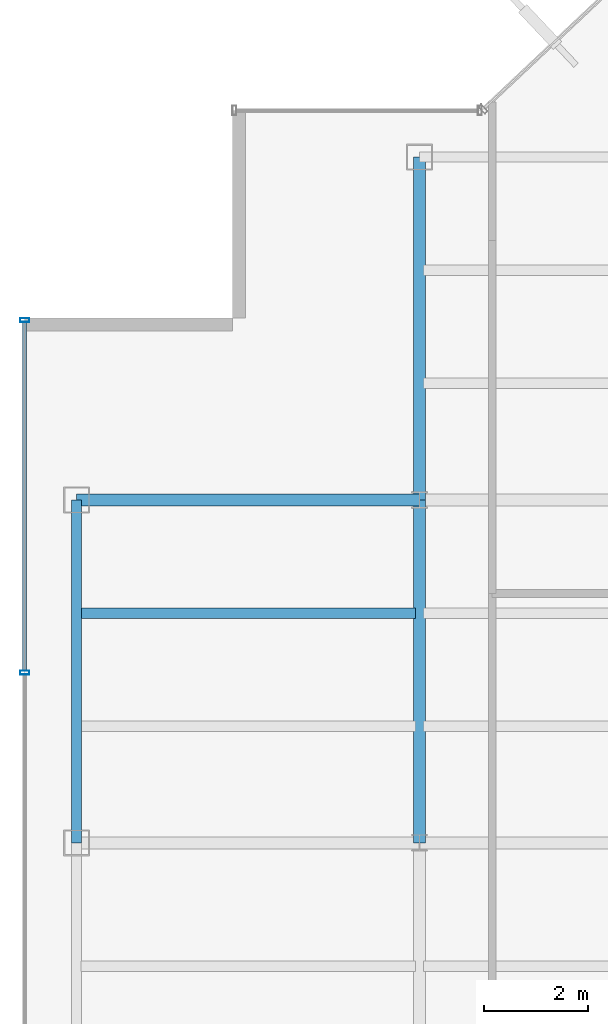
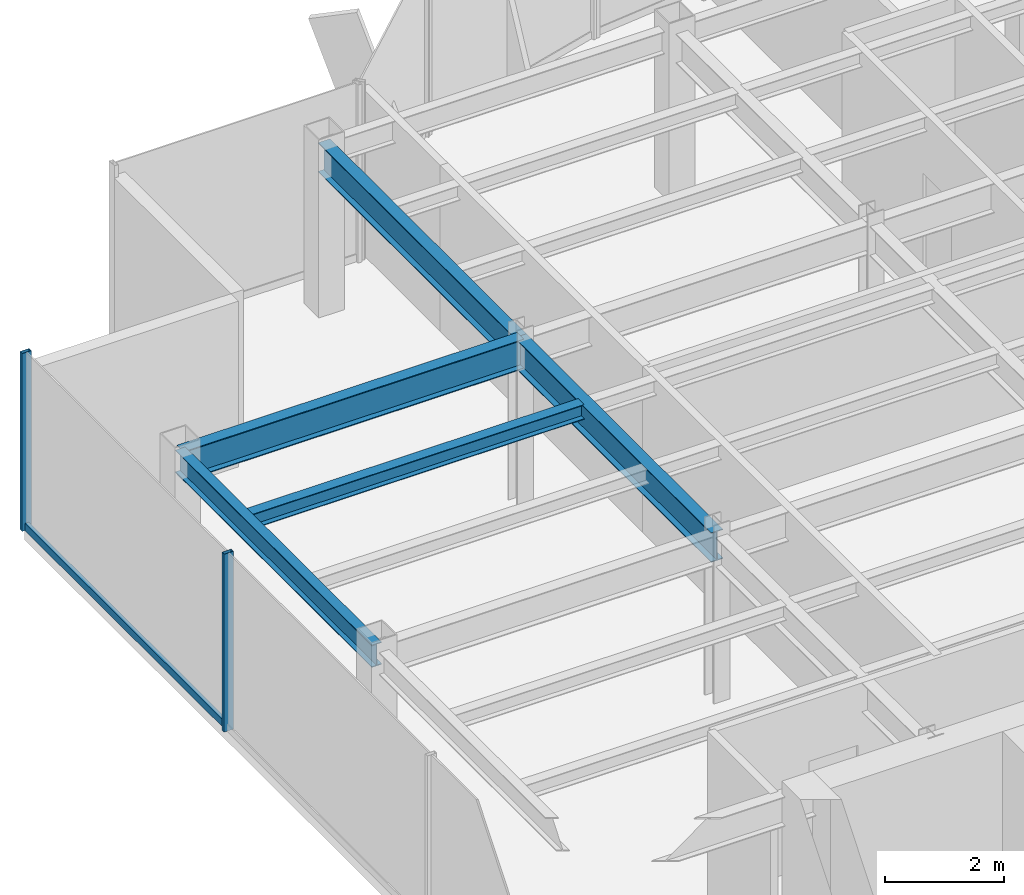
# One storey, part 7 of 22: 5 beams, 3 members, 1 element without a shape of its own.
"""IFC4 building model written with IfcOpenShell, lengths in metres."""

import ifcopenshell
import ifcopenshell.guid

model = None  # the IFC model being written
_history = None  # IfcOwnerHistory: only IFC2X3 demands one
_inside = {}  # id of a spatial element -> (the spatial element, [elements in it])
_under = {}  # id of a project, library or spatial element -> (it, [spatial elements below it])
_declared = {}  # id of a project -> (the project, [libraries it declares])
_typed = {}  # id of a type object -> (the type object, [elements of that type])
_made_of = {}  # id of a material, layer set ... -> (it, [elements and type objects made of it])


def new_model(schema):
    """Start an empty IFC model of exactly this schema.

    Asked for "IFC4X3", IfcOpenShell would pick the latest addendum, in which some entities
    have other attributes; the version numbers below select the first issue.
    IFC2X3 requires an IfcOwnerHistory on every rooted entity: one is made here for all.
    """
    global model, _history
    if schema == "IFC4X3":
        model = ifcopenshell.file(schema_version=(4, 3, 0, 0))
    else:
        model = ifcopenshell.file(schema=schema)
    _inside.clear()
    _under.clear()
    _declared.clear()
    _typed.clear()
    _made_of.clear()
    _history = None
    if model.schema == "IFC2X3":
        org = make("IfcOrganization", Name="unknown")
        user = make(
            "IfcPersonAndOrganization",
            ThePerson=make("IfcPerson", FamilyName="unknown"),
            TheOrganization=org,
        )
        app = make(
            "IfcApplication",
            ApplicationDeveloper=org,
            Version="unknown",
            ApplicationFullName="unknown",
            ApplicationIdentifier="unknown",
        )
        _history = make(
            "IfcOwnerHistory",
            OwningUser=user,
            OwningApplication=app,
            ChangeAction="ADDED",
            CreationDate=0,
        )
    return model


def make(cls, **values):
    """One entity of the class cls with the attributes given. An attribute that is None is left unset."""
    return model.create_entity(
        cls, **{name: value for name, value in values.items() if value is not None}
    )


def rooted(cls, **values):
    """An entity with a GlobalId (a new one), such as an element, a storey or a relation."""
    return make(cls, GlobalId=ifcopenshell.guid.new(), OwnerHistory=_history, **values)


def si_unit(unit_type, name, prefix=None):
    """IfcSIUnit, for example si_unit("LENGTHUNIT", "METRE", prefix="MILLI")."""
    return make("IfcSIUnit", UnitType=unit_type, Prefix=prefix, Name=name)


def derived_unit(unit_type, elements):
    """IfcDerivedUnit: a product of units, each with its exponent."""
    return make(
        "IfcDerivedUnit",
        Elements=[
            make("IfcDerivedUnitElement", Unit=unit, Exponent=power)
            for unit, power in elements
        ],
        UnitType=unit_type,
    )


def assignment(units):
    """IfcUnitAssignment: the units of a project."""
    return None if units is None else make("IfcUnitAssignment", Units=units)


def point(xyz):
    """IfcCartesianPoint."""
    return None if xyz is None else make("IfcCartesianPoint", Coordinates=xyz)


def direction(xyz):
    """IfcDirection."""
    return None if xyz is None else make("IfcDirection", DirectionRatios=xyz)


def frame(location, z_axis=None, x_axis=None):
    """IfcAxis2Placement3D, a coordinate frame: its origin and axes. An axis left out is left unset."""
    return make(
        "IfcAxis2Placement3D",
        Location=point(location),
        Axis=direction(z_axis),
        RefDirection=direction(x_axis),
    )


def frame_2d(location, x_axis=None):
    """IfcAxis2Placement2D, a coordinate frame in the plane: its origin and x axis."""
    return make(
        "IfcAxis2Placement2D", Location=point(location), RefDirection=direction(x_axis)
    )


def origin():
    """The frame at (0, 0, 0) with its axes left unset."""
    return frame((0.0, 0.0, 0.0))


def origin_2d():
    """The frame at (0, 0) in the plane with its x axis left unset."""
    return frame_2d((0.0, 0.0))


def place(relative_to, where):
    """IfcLocalPlacement: puts the frame where relative to a parent placement (None: the world)."""
    return make(
        "IfcLocalPlacement", PlacementRelTo=relative_to, RelativePlacement=where
    )


def context(
    kind, dimensions, precision=None, world=None, true_north=None, identifier=None
):
    """IfcGeometricRepresentationContext, for example the 3D "Model" context."""
    return make(
        "IfcGeometricRepresentationContext",
        ContextIdentifier=identifier,
        ContextType=kind,
        CoordinateSpaceDimension=dimensions,
        Precision=precision,
        WorldCoordinateSystem=world,
        TrueNorth=true_north,
    )


def subcontext(parent, identifier, kind, view, scale=None):
    """IfcGeometricRepresentationSubContext, for example "Body" below "Model"."""
    return make(
        "IfcGeometricRepresentationSubContext",
        ContextIdentifier=identifier,
        ContextType=kind,
        ParentContext=parent,
        TargetScale=scale,
        TargetView=view,
    )


def project(units=None, contexts=None):
    """IfcProject with its units and contexts."""
    return rooted(
        "IfcProject",
        Name="project",
        RepresentationContexts=contexts,
        UnitsInContext=assignment(units),
    )


def spatial(cls, under=None, at=None, **own):
    """A site, building, storey or space (cls), placed at a placement, below another one or the project."""
    s = rooted(cls, ObjectPlacement=at, **own)
    if under is not None:
        _under.setdefault(under.id(), (under, []))[1].append(s)
    return s


def profile(cls, at=None, kind="AREA", **sizes):
    """A parametric profile (cls). Its sizes go by their IFC names, for example OverallWidth=200.0."""
    return make(cls, ProfileType=kind, Position=at, **sizes)


def hollow_rectangle(**sizes):
    """IfcRectangleHollowProfileDef."""
    return profile("IfcRectangleHollowProfileDef", **sizes)


def i_section(**sizes):
    """IfcIShapeProfileDef."""
    return profile("IfcIShapeProfileDef", **sizes)


def extrude(swept, where, along, depth):
    """IfcExtrudedAreaSolid: the profile swept, set in the frame where, extruded along a direction by depth."""
    return make(
        "IfcExtrudedAreaSolid",
        SweptArea=swept,
        Position=where,
        ExtrudedDirection=direction(along),
        Depth=depth,
    )


def shape(context_of_items, identifier, shape_type, items):
    """IfcShapeRepresentation: the items that make up one representation, for example the "Body"."""
    return make(
        "IfcShapeRepresentation",
        ContextOfItems=context_of_items,
        RepresentationIdentifier=identifier,
        RepresentationType=shape_type,
        Items=items,
    )


def source(mapping_origin, context_of_items, identifier, shape_type, items):
    """IfcRepresentationMap: a shape defined once, which mapped items show again and again."""
    return make(
        "IfcRepresentationMap",
        MappingOrigin=mapping_origin,
        MappedRepresentation=shape(context_of_items, identifier, shape_type, items),
    )


def transform(
    local_origin,
    x_axis=None,
    y_axis=None,
    z_axis=None,
    scale=None,
    scale2=None,
    scale3=None,
    uniform=True,
):
    """IfcCartesianTransformationOperator3D, or its non-uniform kind. x_axis, y_axis, z_axis: its Axis1, 2, 3."""
    if uniform:
        return make(
            "IfcCartesianTransformationOperator3D",
            Axis1=direction(x_axis),
            Axis2=direction(y_axis),
            LocalOrigin=point(local_origin),
            Scale=scale,
            Axis3=direction(z_axis),
        )
    return make(
        "IfcCartesianTransformationOperator3DnonUniform",
        Axis1=direction(x_axis),
        Axis2=direction(y_axis),
        LocalOrigin=point(local_origin),
        Scale=scale,
        Axis3=direction(z_axis),
        Scale2=scale2,
        Scale3=scale3,
    )


def mapped(mapping_source, mapping_target):
    """IfcMappedItem: shows the shape of a source again, moved by a transform."""
    return make(
        "IfcMappedItem", MappingSource=mapping_source, MappingTarget=mapping_target
    )


def material(Name=None, Category=None):
    """IfcMaterial."""
    return make("IfcMaterial", Name=Name, Category=Category)


def material_profile(
    of_material, cross_section, Name=None, Category=None, Priority=None
):
    """IfcMaterialProfile: a cross section and its material."""
    return make(
        "IfcMaterialProfile",
        Name=Name,
        Material=of_material,
        Profile=cross_section,
        Priority=Priority,
        Category=Category,
    )


def profile_set(profiles, Name=None, composite=None):
    """IfcMaterialProfileSet."""
    return make(
        "IfcMaterialProfileSet",
        Name=Name,
        MaterialProfiles=profiles,
        CompositeProfile=composite,
    )


def made_of(thing, what):
    """Note that an element or type object is made of a material, layer set ...; save() writes the relation."""
    if what is not None:
        _made_of.setdefault(what.id(), (what, []))[1].append(thing)
    return thing


def type_object(cls, material=None, **own):
    """A type object (cls), such as IfcWallType, which elements share."""
    return made_of(rooted(cls, **own), material)


def element(
    cls,
    number,
    at=None,
    inside=None,
    cuts=None,
    type_object=None,
    material=None,
    context=None,
    identifier="Body",
    shape_type=None,
    held_by="IfcProductDefinitionShape",
    body=None,
    shapes=None,
    **own,
):
    """One element of the class cls, such as IfcWall. Its Tag is "e" and its number.

    at: its placement. inside: the storey or other place that contains it. cuts: it is an
    opening in that element (IfcRelVoidsElement). A single representation is given by context,
    identifier, shape_type and body (its items); several are given by shapes. held_by: the class
    of the entity that holds the representations. save() writes the other relations.
    """
    e = rooted(cls, Tag="e%d" % number, ObjectPlacement=at, **own)
    if body is not None:
        shapes = [shape(context, identifier, shape_type, body)]
    if shapes is not None:
        e.Representation = make(held_by, Representations=shapes)
    if inside is not None:
        _inside.setdefault(inside.id(), (inside, []))[1].append(e)
    if cuts is not None:
        rooted(
            "IfcRelVoidsElement", RelatingBuildingElement=cuts, RelatedOpeningElement=e
        )
    if type_object is not None:
        _typed.setdefault(type_object.id(), (type_object, []))[1].append(e)
    return made_of(e, material)


def aggregate(whole, parts):
    """IfcRelAggregates: a whole, such as a stair, and the parts it consists of."""
    return rooted("IfcRelAggregates", RelatingObject=whole, RelatedObjects=parts)


def save(model, path):
    """Write the relations noted so far, then the file.

    IfcRelAggregates (storeys below a building ...), IfcRelContainedInSpatialStructure (elements
    in a storey), IfcRelDefinesByType, IfcRelAssociatesMaterial and IfcRelDeclares: one each for
    every whole, place, type object, material and project.
    """
    for whole, parts in _under.values():
        aggregate(whole, parts)
    for where, things in _inside.values():
        rooted(
            "IfcRelContainedInSpatialStructure",
            RelatedElements=things,
            RelatingStructure=where,
        )
    for kind, things in _typed.values():
        rooted("IfcRelDefinesByType", RelatedObjects=things, RelatingType=kind)
    for what, things in _made_of.values():
        rooted("IfcRelAssociatesMaterial", RelatedObjects=things, RelatingMaterial=what)
    for by, libraries in _declared.values():
        rooted("IfcRelDeclares", RelatingContext=by, RelatedDefinitions=libraries)
    model.write(path)


model = new_model("IFC4")

# Units and contexts
model_context = context("Model", 3, precision=1e-05, world=origin(), true_north=direction((0.0, 1.0)))
body_context = subcontext(model_context, "Body", "Model", "MODEL_VIEW")
ifc_project = project(units=[si_unit("LENGTHUNIT", "METRE"), si_unit("AREAUNIT", "SQUARE_METRE"), si_unit("VOLUMEUNIT", "CUBIC_METRE"), si_unit("PLANEANGLEUNIT", "RADIAN"), si_unit("MASSUNIT", "GRAM", prefix="KILO"), derived_unit("THERMALTRANSMITTANCEUNIT", [(si_unit("POWERUNIT", "WATT"), 1), (si_unit("LENGTHUNIT", "METRE"), -2), (si_unit("THERMODYNAMICTEMPERATUREUNIT", "KELVIN"), -1)])], contexts=[model_context])

# Site, building, storey
site_placement = place(None, origin())
site = spatial("IfcSite", under=ifc_project, at=site_placement, CompositionType="ELEMENT")
building_placement = place(site_placement, origin())
building = spatial("IfcBuilding", under=site, at=building_placement, Name="Skarnbrae Concourse Arena and Tower", CompositionType="ELEMENT")
storey_placement = place(building_placement, frame((0.0, 0.0, 280.699951171875)))
storey = spatial("IfcBuildingStorey", under=building, at=storey_placement, Name="L73", CompositionType="ELEMENT", Elevation=280.699951171875)

# Beams
ifc_material_1 = material(Name="Steel CSA G40.21 350W", Category="steel")
ifc_material_profile_1 = material_profile(ifc_material_1, i_section(OverallWidth=0.22802734375, OverallDepth=0.60791015625, WebThickness=0.01123046875, FlangeThickness=0.017333984375, at=origin_2d()), Name="W610X113")
ifc_profile_set_1 = profile_set([ifc_material_profile_1], Name="Steel CSA G40.21 350W")
beam_type_1 = type_object("IfcBeamType", Name="BM-GIRD-W610X113", PredefinedType="BEAM", material=ifc_profile_set_1)
shared_shape_1 = source(origin(), body_context, "Body", "SweptSolid", [
    extrude(i_section(OverallWidth=0.22802734375, OverallDepth=0.60791015625, WebThickness=0.01123046875, FlangeThickness=0.017333984375, at=origin_2d()), origin(), (0.0, 0.0, 1.0), 6.60009765625),
])
for number, where, z_axis, x_axis, name in (
    (1, (1.0, 27.800048828125, 3.095947265625), (1.0, 0.0, 0.0), (0.0, 1.0, 0.0), "L73 Primary E-W girder Y27.8-1"),
    (2, (7.60009765625, 21.199951171875, 3.095947265625), (0.0, 1.0, 0.0), (-1.0, 0.0, 0.0), "L73 Primary N-S girder X7.6-2"),
):
    element("IfcBeam", number, at=place(storey_placement, frame(where, z_axis=z_axis, x_axis=x_axis)), inside=storey, type_object=beam_type_1, Name=name, PredefinedType="BEAM", context=body_context, shape_type="MappedRepresentation", body=[
        mapped(shared_shape_1, transform((0.0, 0.0, 0.0))),
    ])
ifc_material_profile_2 = material_profile(ifc_material_1, i_section(OverallWidth=0.19091796875, OverallDepth=0.4599609375, WebThickness=0.010009765625, FlangeThickness=0.01611328125, at=origin_2d()), Name="W460X82")
ifc_profile_set_2 = profile_set([ifc_material_profile_2], Name="Steel CSA G40.21 350W")
beam_type_2 = type_object("IfcBeamType", Name="BM-SPAN-W460X82", PredefinedType="SPANDREL", material=ifc_profile_set_2)
shared_shape_2 = source(origin(), body_context, "Body", "SweptSolid", [
    extrude(i_section(OverallWidth=0.19091796875, OverallDepth=0.4599609375, WebThickness=0.010009765625, FlangeThickness=0.01611328125, at=origin_2d()), origin(), (0.0, 0.0, 1.0), 6.60009765625),
])
beam_1_placement = place(storey_placement, frame((1.0, 21.199951171875, 3.170166015625), z_axis=(0.0, 1.0, 0.0), x_axis=(-1.0, 0.0, 0.0)))
element("IfcBeam", 3, at=beam_1_placement, inside=storey, type_object=beam_type_2, Name="L73 Perimeter spandrel X1.0-3", PredefinedType="SPANDREL", context=body_context, shape_type="MappedRepresentation", body=[
    mapped(shared_shape_2, transform((0.0, 0.0, 0.0))),
])
shared_shape_3 = source(origin(), body_context, "Body", "SweptSolid", [
    extrude(i_section(OverallWidth=0.22802734375, OverallDepth=0.60791015625, WebThickness=0.01123046875, FlangeThickness=0.017333984375, at=origin_2d()), origin(), (0.0, 0.0, 1.0), 6.599853515625),
])
beam_2_placement = place(storey_placement, frame((7.60009765625, 27.800048828125, 3.095947265625), z_axis=(0.0, 1.0, 0.0), x_axis=(-1.0, 0.0, 0.0)))
element("IfcBeam", 4, at=beam_2_placement, inside=storey, type_object=beam_type_1, Name="L73 Primary N-S girder X7.6-3", PredefinedType="BEAM", context=body_context, shape_type="MappedRepresentation", body=[
    mapped(shared_shape_3, transform((0.0, 0.0, 0.0))),
])
ifc_material_profile_3 = material_profile(ifc_material_1, i_section(OverallWidth=0.202880859375, OverallDepth=0.302978515625, WebThickness=0.007568359375, FlangeThickness=0.01318359375, at=origin_2d()), Name="W310X60")
ifc_profile_set_3 = profile_set([ifc_material_profile_3], Name="Steel CSA G40.21 350W")
beam_type_3 = type_object("IfcBeamType", Name="BM-JOIST-W310X60", PredefinedType="JOIST", material=ifc_profile_set_3)
shared_shape_4 = source(origin(), body_context, "Body", "SweptSolid", [
    extrude(i_section(OverallWidth=0.202880859375, OverallDepth=0.302978515625, WebThickness=0.007568359375, FlangeThickness=0.01318359375, at=origin_2d()), origin(), (0.0, 0.0, 1.0), 6.43994140625),
])
beam_3_placement = place(storey_placement, frame((1.080078125, 25.6220703125, 3.24853515625), z_axis=(1.0, 0.0, 0.0), x_axis=(0.0, 1.0, 0.0)))
element("IfcBeam", 5, at=beam_3_placement, inside=storey, type_object=beam_type_3, Name="L73 Secondary floor joist 2.2.1", PredefinedType="JOIST", context=body_context, shape_type="MappedRepresentation", body=[
    mapped(shared_shape_4, transform((0.0, 0.0, 0.0))),
])

# Curtain wall, members
ifc_material_2 = material(Name="Bronze anodised aluminium 6063-T6", Category="aluminium")
curtain_wall_type = type_object("IfcCurtainWallType", Name="CW-SYS-05-HIGHZONE", PredefinedType="USERDEFINED", material=ifc_material_2)
curtain_wall_placement = place(storey_placement, origin())
curtain_wall = element("IfcCurtainWall", 6, at=curtain_wall_placement, inside=storey, type_object=curtain_wall_type, Name="L73 Unitised curtain wall CW-L73-E18", ObjectType="UNITISED CURTAIN WALL", PredefinedType="USERDEFINED")
ifc_material_profile_4 = material_profile(ifc_material_2, hollow_rectangle(XDim=0.074951171875, YDim=0.14990234375, WallThickness=0.00390625, at=origin_2d()), Name="ALU-TRAN-75X150")
ifc_profile_set_4 = profile_set([ifc_material_profile_4], Name="Bronze anodised aluminium 6063-T6")
member_type_1 = type_object("IfcMemberType", Name="CWT-CW-05", PredefinedType="USERDEFINED", material=ifc_profile_set_4)
shared_shape_5 = source(origin(), body_context, "Body", "SweptSolid", [
    extrude(hollow_rectangle(XDim=0.074951171875, YDim=0.14990234375, WallThickness=0.00390625, at=origin_2d()), origin(), (0.0, 0.0, 1.0), 6.712646484375),
])
member_1_placement = place(storey_placement, frame((0.0, 31.22509765625, 0.074951171875), z_axis=(0.0, -1.0, 0.0), x_axis=(1.0, 0.0, 0.0)))
member_1 = element("IfcMember", 7, at=member_1_placement, type_object=member_type_1, Name="CW-L73-E18 Transom 1", ObjectType="TRANSOM", PredefinedType="USERDEFINED", context=body_context, shape_type="MappedRepresentation", body=[
    mapped(shared_shape_5, transform((0.0, 0.0, 0.0))),
])
ifc_material_profile_5 = material_profile(ifc_material_2, hollow_rectangle(XDim=0.074951171875, YDim=0.179931640625, WallThickness=0.00390625, at=origin_2d()), Name="ALU-MULL-75X180")
ifc_profile_set_5 = profile_set([ifc_material_profile_5], Name="Bronze anodised aluminium 6063-T6")
member_type_2 = type_object("IfcMemberType", Name="CWM-CW-05", PredefinedType="MULLION", material=ifc_profile_set_5)
shared_shape_6 = source(origin(), body_context, "Body", "SweptSolid", [
    extrude(hollow_rectangle(XDim=0.074951171875, YDim=0.179931640625, WallThickness=0.00390625, at=origin_2d()), origin(), (0.0, 0.0, 1.0), 3.650146484375),
])
member_2_placement = place(storey_placement, frame((0.0, 31.262451171875, 0.0), z_axis=(0.0, 0.0, 1.0), x_axis=(0.0, -1.0, 0.0)))
member_2 = element("IfcMember", 8, at=member_2_placement, type_object=member_type_2, Name="CW-L73-E18 Mullion 1", PredefinedType="MULLION", context=body_context, shape_type="MappedRepresentation", body=[
    mapped(shared_shape_6, transform((0.0, 0.0, 0.0))),
])
member_3_placement = place(storey_placement, frame((0.0, 24.47509765625, 0.0), z_axis=(0.0, 0.0, 1.0), x_axis=(0.0, -1.0, 0.0)))
member_3 = element("IfcMember", 9, at=member_3_placement, type_object=member_type_2, Name="CW-L73-E18 Mullion 2", PredefinedType="MULLION", context=body_context, shape_type="MappedRepresentation", body=[
    mapped(shared_shape_6, transform((0.0, 0.0, 0.0))),
])
aggregate(curtain_wall, [member_2, member_3, member_1])

save(model, "model.ifc")
